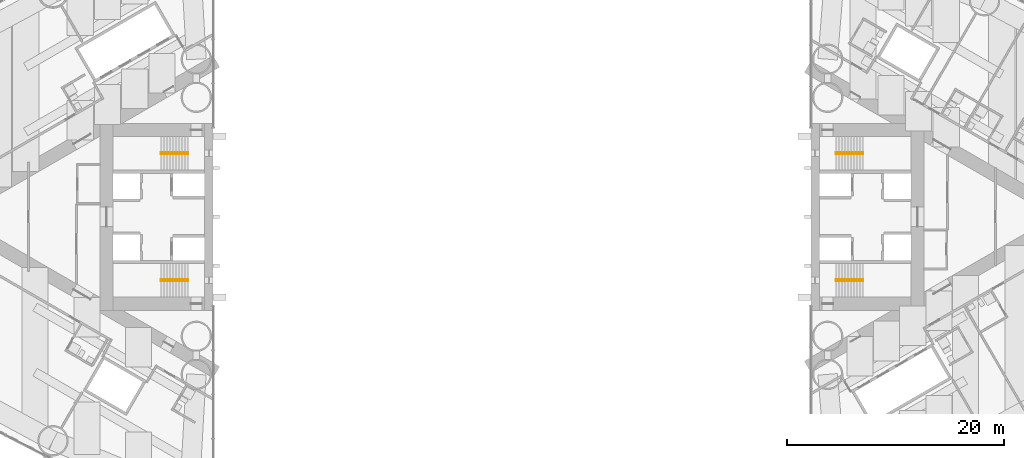
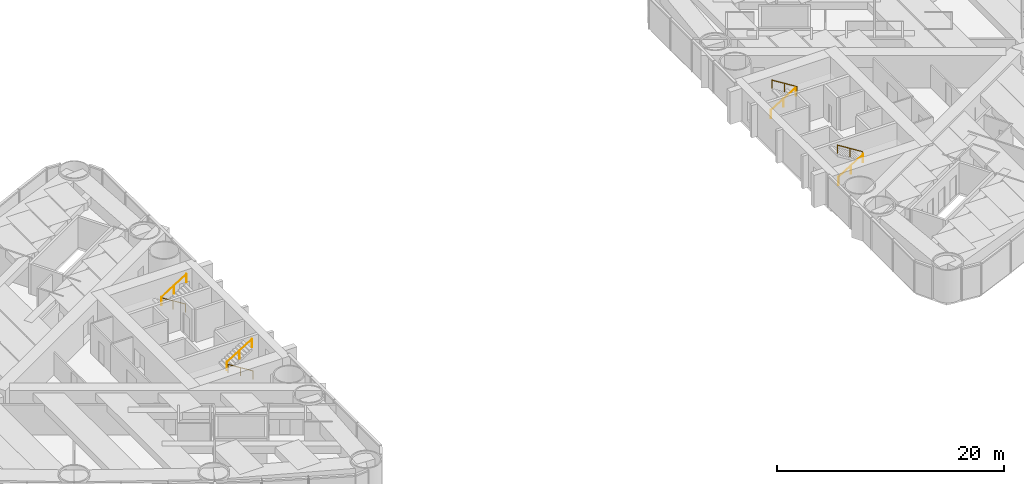
# One storey, part 18 of 19: 8 railings.
"""IFC4 building model written with IfcOpenShell, lengths in metres."""

from ifc_helpers import new_model, si_unit, direction, frame, origin, origin_2d, place, context, subcontext, project, spatial, circle, extrude, material, type_object, element, save


model = new_model("IFC4")

# Units and contexts
model_context = context("Model", 3, precision=1e-05, world=origin(), true_north=direction((0.0, 1.0)))
body_context = subcontext(model_context, "Body", "Model", "MODEL_VIEW")
ifc_project = project(units=[si_unit("LENGTHUNIT", "METRE"), si_unit("AREAUNIT", "SQUARE_METRE"), si_unit("VOLUMEUNIT", "CUBIC_METRE"), si_unit("PLANEANGLEUNIT", "RADIAN"), si_unit("MASSUNIT", "GRAM", prefix="KILO")], contexts=[model_context])

# Site, building, storey
site_placement = place(None, origin())
site = spatial("IfcSite", under=ifc_project, at=site_placement, CompositionType="ELEMENT")
building_placement = place(site_placement, origin())
building = spatial("IfcBuilding", under=site, at=building_placement, Name="Lancet Gate Hotel", CompositionType="ELEMENT")
storey_placement = place(building_placement, frame((0.0, 0.0, 39.0)))
storey = spatial("IfcBuildingStorey", under=building, at=storey_placement, Name="L09", CompositionType="ELEMENT", Elevation=39.0)

# Railings
ifc_material = material(Name="Stainless steel handrail", Category="steel")
railing_type = type_object("IfcRailingType", Name="Stair handrail 900", PredefinedType="HANDRAIL", material=ifc_material)
railing_1_placement = place(storey_placement, frame((-29.800048828125, 5.929931640625, 0.175048828125)))
element("IfcRailing", 1, at=railing_1_placement, inside=storey, type_object=railing_type, Name="ST1 handrail flight 1 L09", PredefinedType="HANDRAIL", context=body_context, shape_type="SweptSolid", body=[
    extrude(circle(Radius=0.02392578125, at=origin_2d()), frame((0.0, 0.0, 0.8759765625), z_axis=(-0.848007534815, 0.0, 0.529984170421), x_axis=(0.0, -1.0, 0.0)), (0.0, 0.0, 1.0), 2.9716796875),
    extrude(circle(Radius=0.02099609375, at=origin_2d()), origin(), (0.0, 0.0, 1.0), 0.851806640625),
    extrude(circle(Radius=0.02099609375, at=origin_2d()), frame((-1.260009765625, 0.0, 0.78759765625)), (0.0, 0.0, 1.0), 0.851806640625),
    extrude(circle(Radius=0.02099609375, at=origin_2d()), frame((-2.52001953125, 0.0, 1.574951171875)), (0.0, 0.0, 1.0), 0.851806640625),
])
railing_2_placement = place(storey_placement, frame((-32.320068359375, 5.77001953125, 1.925048828125)))
element("IfcRailing", 2, at=railing_2_placement, inside=storey, type_object=railing_type, Name="ST1 handrail flight 2 L09", PredefinedType="HANDRAIL", context=body_context, shape_type="SweptSolid", body=[
    extrude(circle(Radius=0.02392578125, at=origin_2d()), frame((0.0, 0.0, 0.8759765625), z_axis=(0.848007534815, 0.0, 0.529984170421), x_axis=(0.0, 1.0, 0.0)), (0.0, 0.0, 1.0), 2.9716796875),
    extrude(circle(Radius=0.02099609375, at=origin_2d()), origin(), (0.0, 0.0, 1.0), 0.851806640625),
    extrude(circle(Radius=0.02099609375, at=origin_2d()), frame((1.260009765625, 0.0, 0.78759765625)), (0.0, 0.0, 1.0), 0.851806640625),
    extrude(circle(Radius=0.02099609375, at=origin_2d()), frame((2.52001953125, 0.0, 1.574951171875)), (0.0, 0.0, 1.0), 0.851806640625),
])
railing_3_placement = place(storey_placement, frame((-29.800048828125, -5.929931640625, 0.175048828125)))
element("IfcRailing", 3, at=railing_3_placement, inside=storey, type_object=railing_type, Name="ST2 handrail flight 1 L09", PredefinedType="HANDRAIL", context=body_context, shape_type="SweptSolid", body=[
    extrude(circle(Radius=0.02392578125, at=origin_2d()), frame((0.0, 0.0, 0.8759765625), z_axis=(-0.848007534815, 0.0, 0.529984170421), x_axis=(0.0, -1.0, 0.0)), (0.0, 0.0, 1.0), 2.9716796875),
    extrude(circle(Radius=0.02099609375, at=origin_2d()), origin(), (0.0, 0.0, 1.0), 0.851806640625),
    extrude(circle(Radius=0.02099609375, at=origin_2d()), frame((-1.260009765625, 0.0, 0.78759765625)), (0.0, 0.0, 1.0), 0.851806640625),
    extrude(circle(Radius=0.02099609375, at=origin_2d()), frame((-2.52001953125, 0.0, 1.574951171875)), (0.0, 0.0, 1.0), 0.851806640625),
])
for number, where, name in (
    (4, (-32.320068359375, -5.77001953125, 1.925048828125), "ST2 handrail flight 2 L09"),
    (5, (29.800048828125, -5.929931640625, 0.175048828125), "ST3 handrail flight 1 L09"),
):
    element("IfcRailing", number, at=place(storey_placement, frame(where)), inside=storey, type_object=railing_type, Name=name, PredefinedType="HANDRAIL", context=body_context, shape_type="SweptSolid", body=[
        extrude(circle(Radius=0.02392578125, at=origin_2d()), frame((0.0, 0.0, 0.8759765625), z_axis=(0.848007534815, 0.0, 0.529984170421), x_axis=(0.0, 1.0, 0.0)), (0.0, 0.0, 1.0), 2.9716796875),
        extrude(circle(Radius=0.02099609375, at=origin_2d()), origin(), (0.0, 0.0, 1.0), 0.851806640625),
        extrude(circle(Radius=0.02099609375, at=origin_2d()), frame((1.260009765625, 0.0, 0.78759765625)), (0.0, 0.0, 1.0), 0.851806640625),
        extrude(circle(Radius=0.02099609375, at=origin_2d()), frame((2.52001953125, 0.0, 1.574951171875)), (0.0, 0.0, 1.0), 0.851806640625),
    ])
railing_4_placement = place(storey_placement, frame((32.320068359375, -5.77001953125, 1.925048828125)))
element("IfcRailing", 6, at=railing_4_placement, inside=storey, type_object=railing_type, Name="ST3 handrail flight 2 L09", PredefinedType="HANDRAIL", context=body_context, shape_type="SweptSolid", body=[
    extrude(circle(Radius=0.02392578125, at=origin_2d()), frame((0.0, 0.0, 0.8759765625), z_axis=(-0.848007534815, 0.0, 0.529984170421), x_axis=(0.0, -1.0, 0.0)), (0.0, 0.0, 1.0), 2.9716796875),
    extrude(circle(Radius=0.02099609375, at=origin_2d()), origin(), (0.0, 0.0, 1.0), 0.851806640625),
    extrude(circle(Radius=0.02099609375, at=origin_2d()), frame((-1.260009765625, 0.0, 0.78759765625)), (0.0, 0.0, 1.0), 0.851806640625),
    extrude(circle(Radius=0.02099609375, at=origin_2d()), frame((-2.52001953125, 0.0, 1.574951171875)), (0.0, 0.0, 1.0), 0.851806640625),
])
railing_5_placement = place(storey_placement, frame((29.800048828125, 5.929931640625, 0.175048828125)))
element("IfcRailing", 7, at=railing_5_placement, inside=storey, type_object=railing_type, Name="ST4 handrail flight 1 L09", PredefinedType="HANDRAIL", context=body_context, shape_type="SweptSolid", body=[
    extrude(circle(Radius=0.02392578125, at=origin_2d()), frame((0.0, 0.0, 0.8759765625), z_axis=(0.848007534815, 0.0, 0.529984170421), x_axis=(0.0, 1.0, 0.0)), (0.0, 0.0, 1.0), 2.9716796875),
    extrude(circle(Radius=0.02099609375, at=origin_2d()), origin(), (0.0, 0.0, 1.0), 0.851806640625),
    extrude(circle(Radius=0.02099609375, at=origin_2d()), frame((1.260009765625, 0.0, 0.78759765625)), (0.0, 0.0, 1.0), 0.851806640625),
    extrude(circle(Radius=0.02099609375, at=origin_2d()), frame((2.52001953125, 0.0, 1.574951171875)), (0.0, 0.0, 1.0), 0.851806640625),
])
railing_6_placement = place(storey_placement, frame((32.320068359375, 5.77001953125, 1.925048828125)))
element("IfcRailing", 8, at=railing_6_placement, inside=storey, type_object=railing_type, Name="ST4 handrail flight 2 L09", PredefinedType="HANDRAIL", context=body_context, shape_type="SweptSolid", body=[
    extrude(circle(Radius=0.02392578125, at=origin_2d()), frame((0.0, 0.0, 0.8759765625), z_axis=(-0.848007534815, 0.0, 0.529984170421), x_axis=(0.0, -1.0, 0.0)), (0.0, 0.0, 1.0), 2.9716796875),
    extrude(circle(Radius=0.02099609375, at=origin_2d()), origin(), (0.0, 0.0, 1.0), 0.851806640625),
    extrude(circle(Radius=0.02099609375, at=origin_2d()), frame((-1.260009765625, 0.0, 0.78759765625)), (0.0, 0.0, 1.0), 0.851806640625),
    extrude(circle(Radius=0.02099609375, at=origin_2d()), frame((-2.52001953125, 0.0, 1.574951171875)), (0.0, 0.0, 1.0), 0.851806640625),
])

save(model, "model.ifc")
